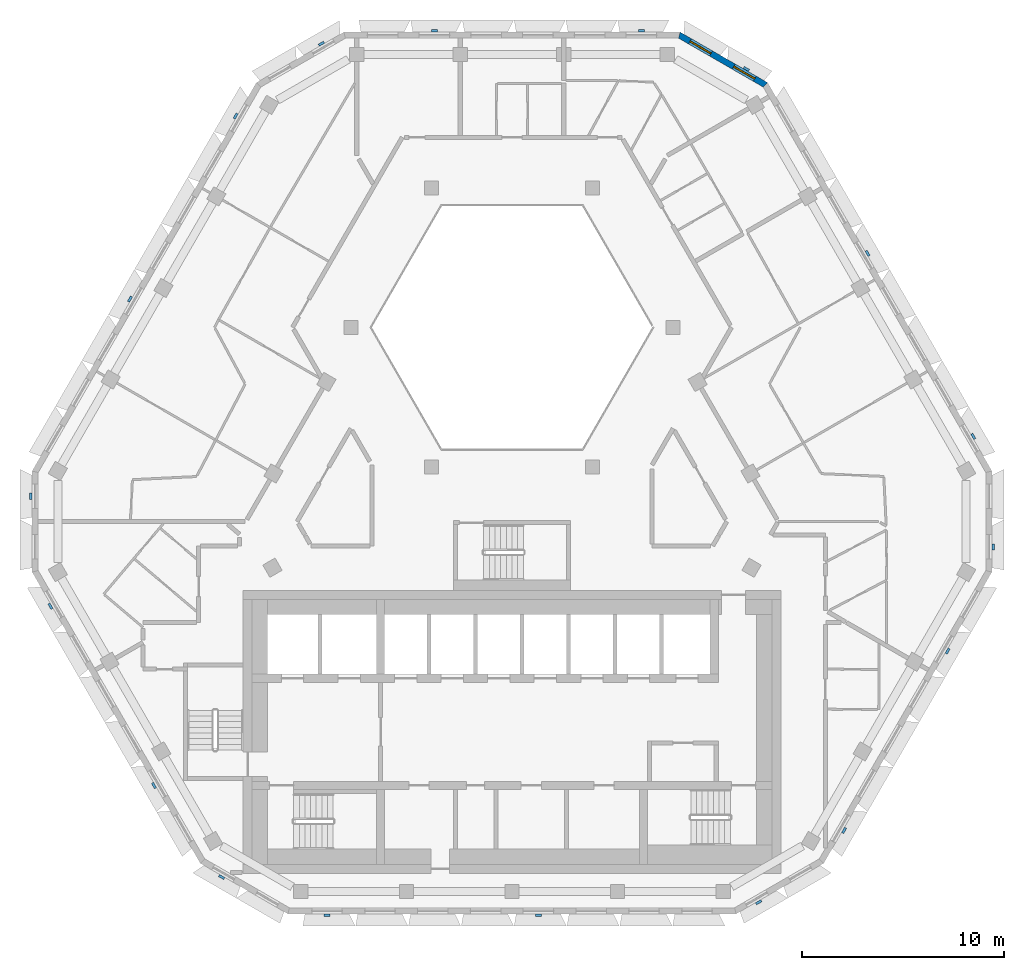
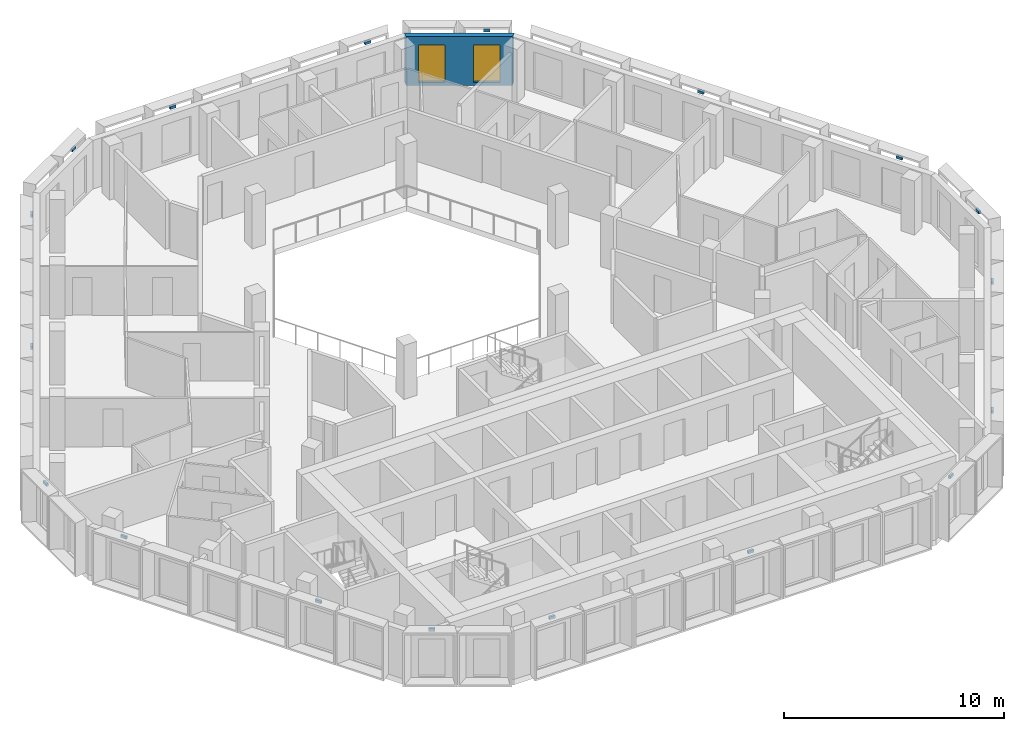
# One storey, part 9 of 16: 18 discrete accessories, 2 windows, 1 wall, 2 openings.
"""IFC4 building model written with IfcOpenShell, lengths in metres."""

from ifc_helpers import new_model, si_unit, direction, frame, frame_2d, origin, place, context, subcontext, project, spatial, polyline, rectangle, outline, extrude, source, transform, mapped, material, layer, layer_set, type_object, type_shapes, element, fill, save


model = new_model("IFC4")

# Units and contexts
model_context = context("Model", 3, precision=1e-05, world=origin(), true_north=direction((0.0, 1.0)))
body_context = subcontext(model_context, "Body", "Model", "MODEL_VIEW")
ifc_project = project(units=[si_unit("LENGTHUNIT", "METRE"), si_unit("AREAUNIT", "SQUARE_METRE"), si_unit("VOLUMEUNIT", "CUBIC_METRE"), si_unit("PLANEANGLEUNIT", "RADIAN"), si_unit("MASSUNIT", "GRAM", prefix="KILO")], contexts=[model_context])

# Site, building, storey
site_placement = place(None, origin())
site = spatial("IfcSite", under=ifc_project, at=site_placement, CompositionType="ELEMENT")
building_placement = place(site_placement, origin())
building = spatial("IfcBuilding", under=site, at=building_placement, Name="Beryl Residences", CompositionType="ELEMENT")
storey_placement = place(building_placement, frame((0.0, 0.0, 220.800048828125)))
storey = spatial("IfcBuildingStorey", under=building, at=storey_placement, Name="L68", CompositionType="ELEMENT", Elevation=220.800048828125)

# Wall, openings, windows
ifc_material_1 = material(Name="Composite metal panel with mineral wool insulation")
ifc_layer = layer(ifc_material_1, 0.300048828125)
ifc_layer_set = layer_set([ifc_layer], Name="ES1 pale metal composite panel wall 300 mm")
wall_type = type_object("IfcWallType", Name="ES1 pale metal composite panel wall 300 mm", PredefinedType="SOLIDWALL", material=ifc_layer_set)
wall_placement = place(storey_placement, frame((12.569091796875, 19.969970703125, 0.0), z_axis=(0.0, 0.0, 1.0), x_axis=(-0.866022959057, 0.500004234368, 0.0)))
wall = element("IfcWall", 1, at=wall_placement, inside=storey, type_object=wall_type, Name="ES1 external wall L68 NE-N", PredefinedType="SOLIDWALL", context=body_context, shape_type="SweptSolid", body=[
    extrude(outline(polyline([(0.0, -0.14990234375), (5.0, -0.14990234375), (4.919677734375, 0.14990234375), (0.080322265625, 0.14990234375), (0.0, -0.14990234375)])), origin(), (0.0, 0.0, 1.0), 2.699951171875),
])
opening_1_placement = place(wall_placement, frame((0.64990234375, 0.0, 0.14990234375)))
opening_1 = element("IfcOpeningElement", 2, at=opening_1_placement, cuts=wall, Name="Opening W2", PredefinedType="OPENING", context=body_context, shape_type="SweptSolid", body=[
    extrude(rectangle(XDim=1.199951171875, YDim=2.10009765625, at=frame_2d((0.60009765625, 1.050048828125))), frame((0.0, 0.159912109375, 0.0), z_axis=(0.0, -1.0, 0.0), x_axis=(1.0, 0.0, 0.0)), (0.0, 0.0, 1.0), 0.320068359375),
])
opening_2_placement = place(wall_placement, frame((3.14990234375, 0.0, 0.14990234375)))
opening_2 = element("IfcOpeningElement", 3, at=opening_2_placement, cuts=wall, Name="Opening W2", PredefinedType="OPENING", context=body_context, shape_type="SweptSolid", body=[
    extrude(rectangle(XDim=1.199951171875, YDim=2.10009765625, at=frame_2d((0.60009765625, 1.050048828125))), frame((0.0, 0.159912109375, 0.0), z_axis=(0.0, -1.0, 0.0), x_axis=(1.0, 0.0, 0.0)), (0.0, 0.0, 1.0), 0.320068359375),
])
ifc_material_2 = material(Name="Aluminium and clear glass", Category="aluminium")
window_type = type_object("IfcWindowType", Name="W2 chamfer window 1200 x 2100 mm", PartitioningType="SINGLE_PANEL", PredefinedType="WINDOW", material=ifc_material_2)
window_1_placement = place(opening_1_placement, origin())
window_1 = element("IfcWindow", 4, at=window_1_placement, inside=storey, type_object=window_type, Name="W2 window L68 NE-N 1", OverallHeight=2.10009765625, OverallWidth=1.199951171875, PartitioningType="SINGLE_PANEL", PredefinedType="WINDOW", context=body_context, shape_type="SweptSolid", body=[
    extrude(rectangle(XDim=1.199951171875, YDim=2.10009765625, at=frame_2d((0.60009765625, 1.050048828125))), frame((0.0, 0.030029296875, 0.0), z_axis=(0.0, -1.0, 0.0), x_axis=(1.0, 0.0, 0.0)), (0.0, 0.0, 1.0), 0.06005859375),
])
fill(opening_1, window_1)
window_2_placement = place(opening_2_placement, origin())
window_2 = element("IfcWindow", 5, at=window_2_placement, inside=storey, type_object=window_type, Name="W2 window L68 NE-N 2", OverallHeight=2.10009765625, OverallWidth=1.199951171875, PartitioningType="SINGLE_PANEL", PredefinedType="WINDOW", context=body_context, shape_type="SweptSolid", body=[
    extrude(rectangle(XDim=1.199951171875, YDim=2.10009765625, at=frame_2d((0.60009765625, 1.050048828125))), frame((0.0, 0.030029296875, 0.0), z_axis=(0.0, -1.0, 0.0), x_axis=(1.0, 0.0, 0.0)), (0.0, 0.0, 1.0), 0.06005859375),
])
fill(opening_2, window_2)

# Discrete accessories
ifc_material_3 = material(Name="Steel S355", Category="steel")
discrete_accessory_type = type_object("IfcDiscreteAccessoryType", Name="BR1 frame bracket 300 x 120 x 150 mm", PredefinedType="BRACKET", material=ifc_material_3)
shared_shape = source(origin(), body_context, "Body", "SweptSolid", [
    extrude(outline(polyline([(-0.14990234375, 0.0), (0.14990234375, 0.0), (0.14990234375, 0.1201171875), (-0.14990234375, 0.1201171875), (-0.14990234375, 0.0)])), origin(), (0.0, 0.0, 1.0), 0.14990234375),
])
type_shapes(discrete_accessory_type, [shared_shape])
for number, where, z_axis, x_axis, name in (
    (6, (6.39892578125, 22.60009765625, 2.75), (0.0, 0.0, 1.0), (1.0, 0.0, 0.0), "BR1 bracket L68 N 1"),
    (7, (-3.839111328125, 22.60009765625, 2.75), (0.0, 0.0, 1.0), (1.0, 0.0, 0.0), "BR1 bracket L68 N 5"),
    (8, (-9.39599609375, 21.97509765625, 2.75), (0.0, 0.0, 1.0), (0.866025403784, 0.5, 0.0), "BR1 bracket L68 N-NW 1"),
    (9, (-13.614013671875, 18.4189453125, 2.75), (0.0, 0.0, 1.0), (0.5, 0.866025403784, 0.0), "BR1 bracket L68 NW 1"),
    (10, (-18.839111328125, 9.368896484375, 2.75), (0.0, 0.0, 1.0), (0.5, 0.866025403784, 0.0), "BR1 bracket L68 NW 5"),
    (11, (-23.72900390625, -0.35009765625, 2.75), (0.0, 0.0, 1.0), (0.0, 1.0, 0.0), "BR1 bracket L68 NW-SW 1"),
    (12, (-22.77099609375, -5.758056640625, 2.75), (0.0, 0.0, 1.0), (-0.5, 0.866025403784, 0.0), "BR1 bracket L68 SW 1"),
    (13, (-17.653076171875, -14.6240234375, 2.75), (0.0, 0.0, 1.0), (-0.5, 0.866025403784, 0.0), "BR1 bracket L68 SW 5"),
    (14, (-14.33203125, -19.125, 2.75), (0.0, 0.0, 1.0), (-0.866025403784, 0.5, 0.0), "BR1 bracket L68 SW-S 1"),
    (15, (-9.14404296875, -21.0, 2.75), (0.0, 0.0, 1.0), (-1.0, 0.0, 0.0), "BR1 bracket L68 S 1"),
    (16, (1.305908203125, -21.0, 2.75), (0.0, 0.0, 1.0), (-1.0, 0.0, 0.0), "BR1 bracket L68 S 5"),
    (17, (12.16796875, -20.375, 2.75), (0.0, 0.0, 1.0), (-0.866025403784, -0.5, 0.0), "BR1 bracket L68 S-SE 1"),
    (18, (16.373046875, -16.842041015625, 2.75), (0.0, 0.0, 1.0), (-0.5, -0.866025403784, 0.0), "BR1 bracket L68 SE 1"),
    (19, (21.490966796875, -7.97607421875, 2.75), (0.0, 0.0, 1.0), (-0.5, -0.866025403784, 0.0), "BR1 bracket L68 SE 5"),
    (20, (23.72900390625, -2.85009765625, 2.75), (0.0, 0.0, 1.0), (0.0, -1.0, 0.0), "BR1 bracket L68 SE-NE 1"),
    (21, (22.758056640625, 2.5810546875, 2.75), (0.0, 0.0, 1.0), (0.5, -0.866025403784, 0.0), "BR1 bracket L68 NE 1"),
    (22, (17.532958984375, 11.631103515625, 2.75), (0.0, 0.0, 1.0), (0.5, -0.866025403784, 0.0), "BR1 bracket L68 NE 5"),
    (23, (11.56103515625, 20.72509765625, 2.75), (0.0, 0.0, 1.0), (0.866025403784, -0.5, 0.0), "BR1 bracket L68 NE-N 1"),
):
    element("IfcDiscreteAccessory", number, at=place(storey_placement, frame(where, z_axis=z_axis, x_axis=x_axis)), inside=storey, type_object=discrete_accessory_type, Name=name, PredefinedType="BRACKET", context=body_context, shape_type="MappedRepresentation", body=[
        mapped(shared_shape, transform((0.0, 0.0, 0.0))),
    ])

save(model, "model.ifc")
